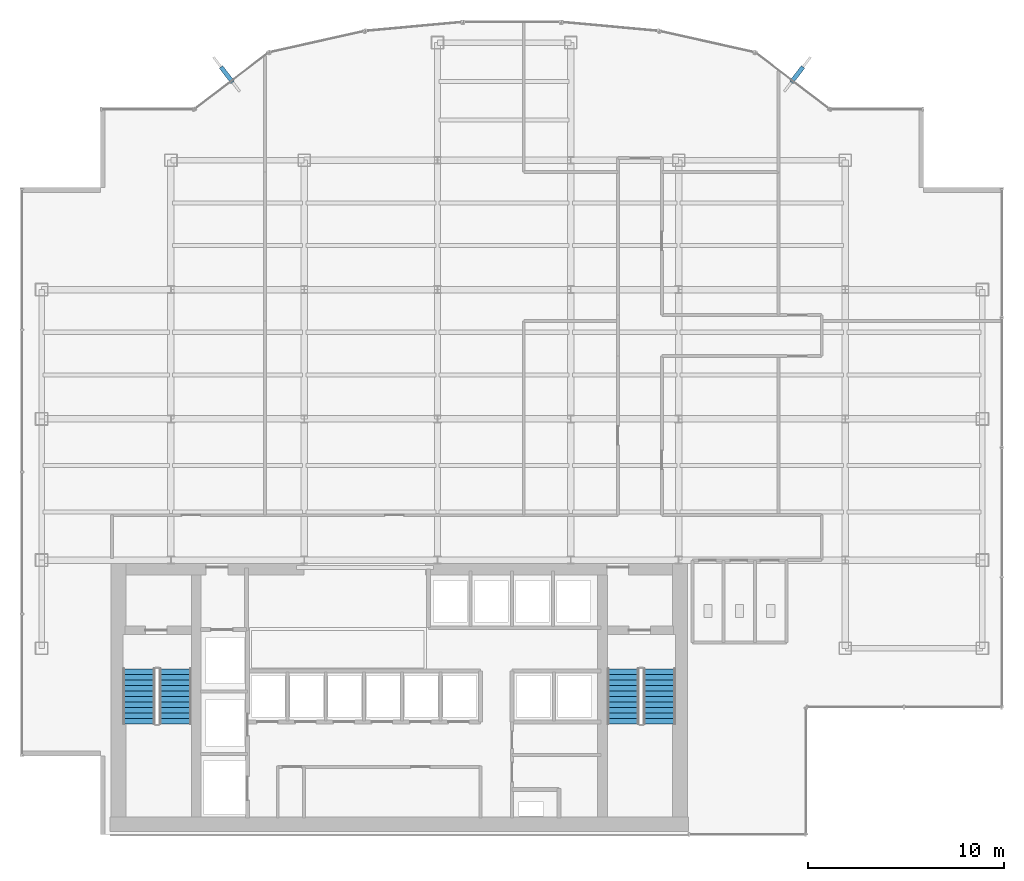
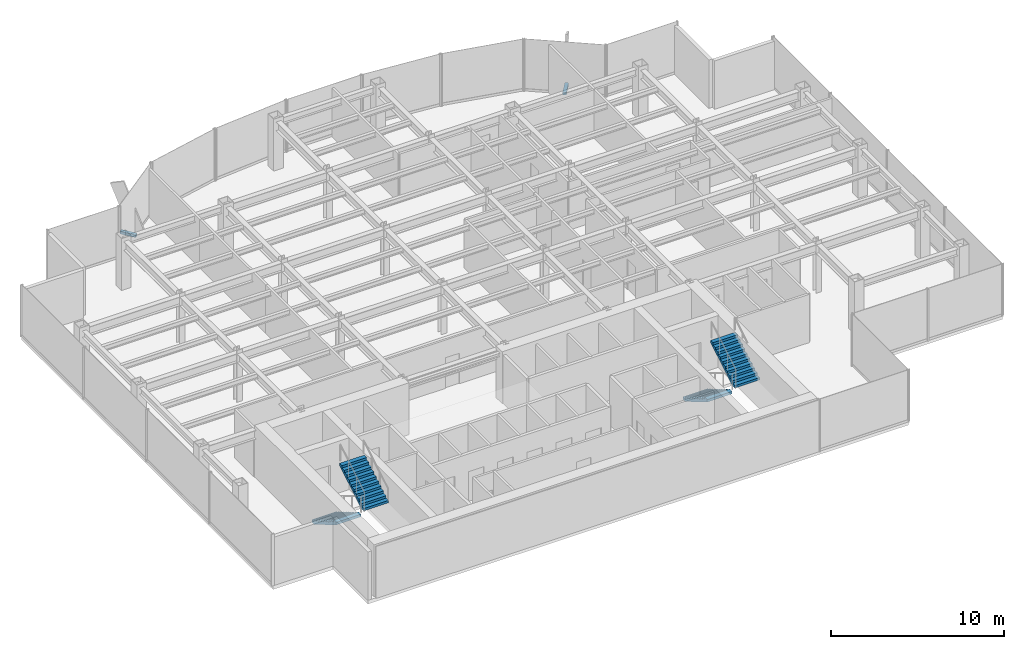
# One storey, part 22 of 25: 4 stair flights, 2 discrete accessories, 2 elements without a shape of their own.
"""IFC4 building model written with IfcOpenShell, lengths in metres."""

from ifc_helpers import new_model, si_unit, derived_unit, direction, frame, origin, origin_2d, place, context, subcontext, project, spatial, polyline, rectangle, outline, extrude, source, transform, mapped, material, type_object, element, aggregate, save


model = new_model("IFC4")

# Units and contexts
model_context = context("Model", 3, precision=1e-05, world=origin(), true_north=direction((0.0, 1.0)))
body_context = subcontext(model_context, "Body", "Model", "MODEL_VIEW")
ifc_project = project(units=[si_unit("LENGTHUNIT", "METRE"), si_unit("AREAUNIT", "SQUARE_METRE"), si_unit("VOLUMEUNIT", "CUBIC_METRE"), si_unit("PLANEANGLEUNIT", "RADIAN"), si_unit("MASSUNIT", "GRAM", prefix="KILO"), derived_unit("THERMALTRANSMITTANCEUNIT", [(si_unit("POWERUNIT", "WATT"), 1), (si_unit("LENGTHUNIT", "METRE"), -2), (si_unit("THERMODYNAMICTEMPERATUREUNIT", "KELVIN"), -1)])], contexts=[model_context])

# Site, building, storey
site_placement = place(None, origin())
site = spatial("IfcSite", under=ifc_project, at=site_placement, CompositionType="ELEMENT")
building_placement = place(site_placement, origin())
building = spatial("IfcBuilding", under=site, at=building_placement, Name="Skarnbrae Concourse Arena and Tower", CompositionType="ELEMENT")
storey_placement = place(building_placement, frame((0.0, 0.0, 151.550048828125)))
storey = spatial("IfcBuildingStorey", under=building, at=storey_placement, Name="L38", CompositionType="ELEMENT", Elevation=151.550048828125)

# Stair, stair flights
ifc_material_1 = material(Name="Concrete 40 MPa (C40/50)", Category="concrete")
stair_type = type_object("IfcStairType", Name="STAIR-DOGLEG-1650", PredefinedType="HALF_TURN_STAIR", material=ifc_material_1)
stair_1_placement = place(storey_placement, origin())
stair_1 = element("IfcStair", 1, at=stair_1_placement, inside=storey, type_object=stair_type, Name="L38 Protected Exit Stair ST-1", PredefinedType="HALF_TURN_STAIR")
stair_flight_type = type_object("IfcStairFlightType", Name="FLIGHT-STRAIGHT-1650", PredefinedType="STRAIGHT", material=ifc_material_1)
shared_shape_1 = source(origin(), body_context, "Body", "SweptSolid", [
    extrude(outline(polyline([(0.0, 0.0), (0.0, 0.166015625), (0.280029296875, 0.166015625), (0.280029296875, 0.331787109375), (0.56005859375, 0.331787109375), (0.56005859375, 0.497802734375), (0.840087890625, 0.497802734375), (0.840087890625, 0.66357421875), (1.1201171875, 0.66357421875), (1.1201171875, 0.82958984375), (1.39990234375, 0.82958984375), (1.39990234375, 0.995361328125), (1.679931640625, 0.995361328125), (1.679931640625, 1.161376953125), (1.9599609375, 1.161376953125), (1.9599609375, 1.327392578125), (2.239990234375, 1.327392578125), (2.239990234375, 1.4931640625), (2.52001953125, 1.4931640625), (2.52001953125, 1.6591796875), (2.800048828125, 1.6591796875), (2.800048828125, 1.824951171875), (2.800048828125, 1.48486328125), (0.2939453125, 0.0), (0.0, 0.0)])), frame((0.0, 0.824951171875, 0.0), z_axis=(0.0, -1.0, 0.0), x_axis=(1.0, 0.0, 0.0)), (0.0, 0.0, 1.0), 1.64990234375),
])
stair_flight_1_placement = place(storey_placement, frame((5.97509765625, 8.449951171875, 0.0), z_axis=(0.0, 0.0, 1.0), x_axis=(0.0, -1.0, 0.0)))
stair_flight_1 = element("IfcStairFlight", 2, at=stair_flight_1_placement, type_object=stair_flight_type, Name="ST-1 flight 1", NumberOfRisers=11, NumberOfTreads=10, PredefinedType="STRAIGHT", RiserHeight=0.165909091, TreadLength=0.28, context=body_context, shape_type="MappedRepresentation", body=[
    mapped(shared_shape_1, transform((0.0, 0.0, 0.0))),
])
stair_flight_2_placement = place(storey_placement, frame((7.824951171875, 5.64990234375, 1.824951171875), z_axis=(0.0, 0.0, 1.0), x_axis=(0.0, 1.0, 0.0)))
stair_flight_2 = element("IfcStairFlight", 3, at=stair_flight_2_placement, type_object=stair_flight_type, Name="ST-1 flight 2", NumberOfRisers=11, NumberOfTreads=10, PredefinedType="STRAIGHT", RiserHeight=0.165909091, TreadLength=0.28, context=body_context, shape_type="MappedRepresentation", body=[
    mapped(shared_shape_1, transform((0.0, 0.0, 0.0))),
])
aggregate(stair_1, [stair_flight_1, stair_flight_2])

stair_2_placement = place(storey_placement, origin())
stair_2 = element("IfcStair", 4, at=stair_2_placement, inside=storey, type_object=stair_type, Name="L38 Protected Exit Stair ST-2", PredefinedType="HALF_TURN_STAIR")
stair_flight_3_placement = place(storey_placement, frame((30.675048828125, 8.449951171875, 0.0), z_axis=(0.0, 0.0, 1.0), x_axis=(0.0, -1.0, 0.0)))
stair_flight_3 = element("IfcStairFlight", 5, at=stair_flight_3_placement, type_object=stair_flight_type, Name="ST-2 flight 1", NumberOfRisers=11, NumberOfTreads=10, PredefinedType="STRAIGHT", RiserHeight=0.165909091, TreadLength=0.28, context=body_context, shape_type="MappedRepresentation", body=[
    mapped(shared_shape_1, transform((0.0, 0.0, 0.0))),
])
stair_flight_4_placement = place(storey_placement, frame((32.52490234375, 5.64990234375, 1.824951171875), z_axis=(0.0, 0.0, 1.0), x_axis=(0.0, 1.0, 0.0)))
stair_flight_4 = element("IfcStairFlight", 6, at=stair_flight_4_placement, type_object=stair_flight_type, Name="ST-2 flight 2", NumberOfRisers=11, NumberOfTreads=10, PredefinedType="STRAIGHT", RiserHeight=0.165909091, TreadLength=0.28, context=body_context, shape_type="MappedRepresentation", body=[
    mapped(shared_shape_1, transform((0.0, 0.0, 0.0))),
])
aggregate(stair_2, [stair_flight_3, stair_flight_4])

# Discrete accessories
ifc_material_2 = material(Name="Bronze anodised aluminium 6063-T6", Category="aluminium")
discrete_accessory_type = type_object("IfcDiscreteAccessoryType", Name="ACC-FIN-BRACKET", PredefinedType="BRACKET", material=ifc_material_2)
shared_shape_2 = source(origin(), body_context, "Body", "SweptSolid", [
    extrude(rectangle(XDim=0.219970703125, YDim=0.97998046875, at=origin_2d()), origin(), (0.0, 0.0, 1.0), 0.179931640625),
])
for number, where, z_axis, x_axis, name in (
    (7, (39.54736328125, 38.764404296875, -0.02978515625), (0.0, 0.0, 1.0), (0.794954941871, -0.606668476513, 0.0), "L38 Bronze fin foot support bracket 08"),
    (8, (10.45263671875, 38.764404296875, -0.02978515625), (0.0, 0.0, 1.0), (0.794954941871, 0.606668476513, 0.0), "L38 Bronze fin foot support bracket 14"),
):
    element("IfcDiscreteAccessory", number, at=place(storey_placement, frame(where, z_axis=z_axis, x_axis=x_axis)), inside=storey, type_object=discrete_accessory_type, Name=name, PredefinedType="BRACKET", context=body_context, shape_type="MappedRepresentation", body=[
        mapped(shared_shape_2, transform((0.0, 0.0, 0.0))),
    ])

save(model, "model.ifc")
